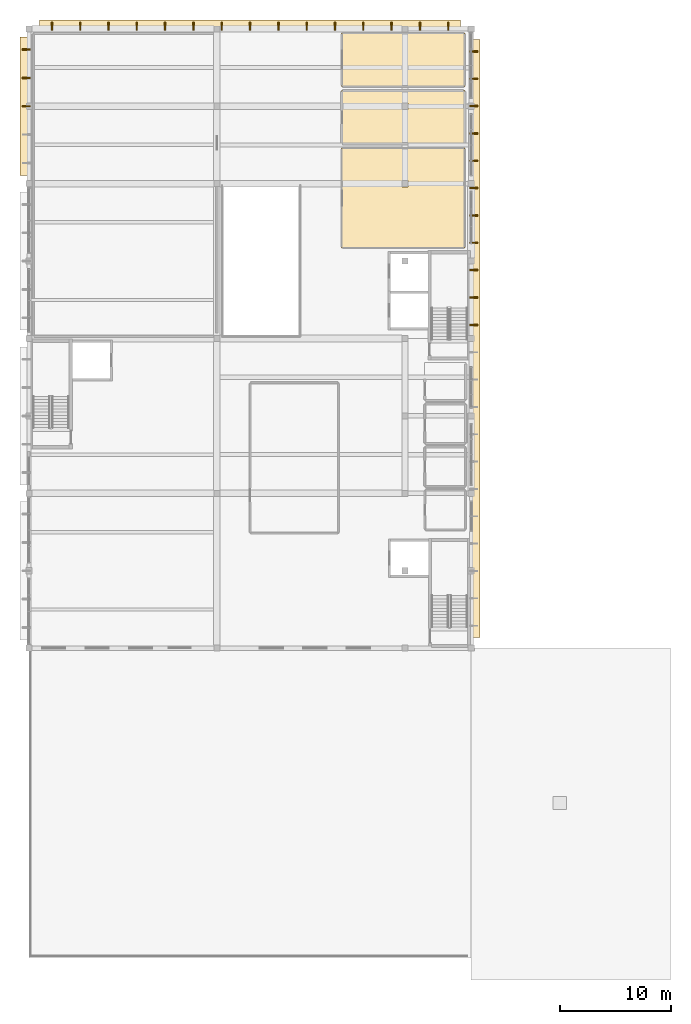
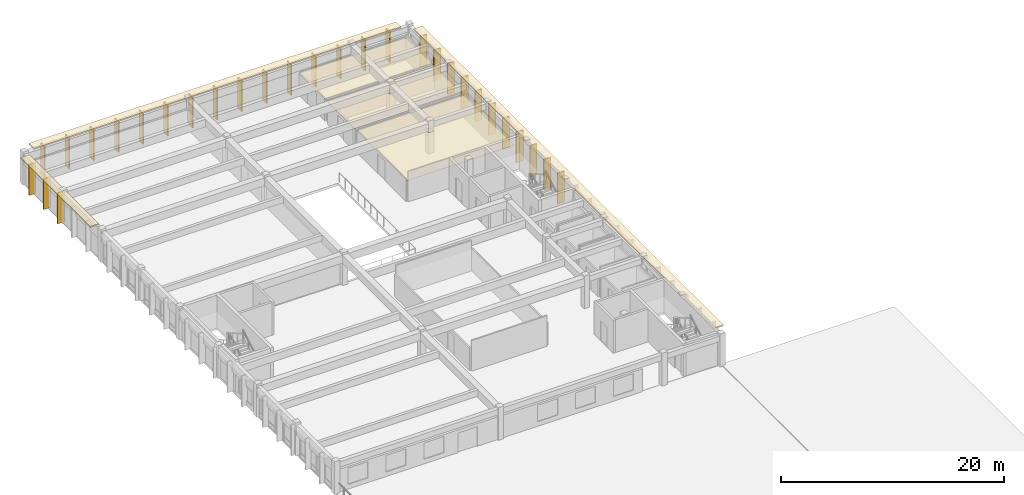
# One storey, part 23 of 23: 35 coverings.
"""IFC4 building model written with IfcOpenShell, lengths in metres."""

from ifc_helpers import new_model, si_unit, direction, frame, origin, origin_2d, place, context, subcontext, project, spatial, polyline, rectangle, outline, extrude, material, layer, layer_set, type_object, element, save


model = new_model("IFC4")

# Units and contexts
model_context = context("Model", 3, precision=1e-05, world=origin(), true_north=direction((0.0, 1.0)))
body_context = subcontext(model_context, "Body", "Model", "MODEL_VIEW")
ifc_project = project(units=[si_unit("LENGTHUNIT", "METRE"), si_unit("AREAUNIT", "SQUARE_METRE"), si_unit("VOLUMEUNIT", "CUBIC_METRE"), si_unit("PLANEANGLEUNIT", "RADIAN"), si_unit("MASSUNIT", "GRAM", prefix="KILO")], contexts=[model_context])

# Site, building, storey
site_placement = place(None, origin())
site = spatial("IfcSite", under=ifc_project, at=site_placement, CompositionType="ELEMENT")
building_placement = place(site_placement, origin())
building = spatial("IfcBuilding", under=site, at=building_placement, Name="Larkveld Mobility Hub", CompositionType="ELEMENT")
storey_placement = place(building_placement, frame((0.0, 0.0, 19.199951171875)))
storey = spatial("IfcBuildingStorey", under=building, at=storey_placement, Name="L05", CompositionType="ELEMENT", Elevation=19.199951171875)

# Coverings
ifc_material_1 = material(Name="Precast concrete C50/60", Category="concrete")
ifc_layer_1 = layer(ifc_material_1, 0.14990234375, Name="Precast concrete C50/60", Category="concrete")
ifc_layer_set_1 = layer_set([ifc_layer_1], Name="Precast concrete C50/60")
covering_type_1 = type_object("IfcCoveringType", Name="COV-QSL-H01", PredefinedType="CLADDING", material=ifc_layer_set_1)
covering_1_placement = place(storey_placement, frame((111.659912109375, 77.0, 3.3701171875), z_axis=(0.0, 0.0, 1.0), x_axis=(0.0, -1.0, 0.0)))
element("IfcCovering", 1, at=covering_1_placement, inside=storey, type_object=covering_type_1, Name="Precast Quebra-Sol Horizontal Sunbreaker QSH-602", PredefinedType="CLADDING", context=body_context, shape_type="SweptSolid", body=[
    extrude(rectangle(XDim=12.5, YDim=0.919921875, at=origin_2d()), origin(), (0.0, 0.0, 1.0), 0.14990234375),
])
covering_2_placement = place(storey_placement, frame((152.340087890625, 56.0, 3.3701171875), z_axis=(0.0, 0.0, 1.0), x_axis=(0.0, 1.0, 0.0)))
element("IfcCovering", 2, at=covering_2_placement, inside=storey, type_object=covering_type_1, Name="Precast Quebra-Sol Horizontal Sunbreaker QSH-608", PredefinedType="CLADDING", context=body_context, shape_type="SweptSolid", body=[
    extrude(rectangle(XDim=54.10009765625, YDim=0.919921875, at=origin_2d()), origin(), (0.0, 0.0, 1.0), 0.14990234375),
])
covering_3_placement = place(storey_placement, frame((132.0, 84.340087890625, 3.3701171875), z_axis=(0.0, 0.0, 1.0), x_axis=(-1.0, 0.0, 0.0)))
element("IfcCovering", 3, at=covering_3_placement, inside=storey, type_object=covering_type_1, Name="Precast Quebra-Sol Horizontal Sunbreaker QSH-631", PredefinedType="CLADDING", context=body_context, shape_type="SweptSolid", body=[
    extrude(rectangle(XDim=38.10009765625, YDim=0.919921875, at=origin_2d()), origin(), (0.0, 0.0, 1.0), 0.14990234375),
])
ifc_layer_2 = layer(ifc_material_1, 0.1201171875, Name="Precast concrete C50/60", Category="concrete")
ifc_layer_set_2 = layer_set([ifc_layer_2], Name="Precast concrete C50/60")
covering_type_2 = type_object("IfcCoveringType", Name="COV-QSL-V01", PredefinedType="CLADDING", material=ifc_layer_set_2)
for number, where, z_axis, x_axis, name in (
    (4, (111.760009765625, 82.1201171875, -0.0205078125), (0.0, 0.0, 1.0), (0.0, -1.0, 0.0), "Precast Quebra-Sol Vertical Fin QSV-603"),
    (5, (111.760009765625, 79.56005859375, -0.0205078125), (0.0, 0.0, 1.0), (0.0, -1.0, 0.0), "Precast Quebra-Sol Vertical Fin QSV-604"),
    (6, (111.760009765625, 77.0, -0.0205078125), (0.0, 0.0, 1.0), (0.0, -1.0, 0.0), "Precast Quebra-Sol Vertical Fin QSV-605"),
    (7, (152.239990234375, 57.236083984375, -0.0205078125), (0.0, 0.0, 1.0), (0.0, 1.0, 0.0), "Precast Quebra-Sol Vertical Fin QSV-620"),
    (8, (152.239990234375, 59.708984375, -0.0205078125), (0.0, 0.0, 1.0), (0.0, 1.0, 0.0), "Precast Quebra-Sol Vertical Fin QSV-621"),
    (9, (152.239990234375, 62.181884765625, -0.0205078125), (0.0, 0.0, 1.0), (0.0, 1.0, 0.0), "Precast Quebra-Sol Vertical Fin QSV-622"),
    (10, (152.239990234375, 64.655029296875, -0.0205078125), (0.0, 0.0, 1.0), (0.0, 1.0, 0.0), "Precast Quebra-Sol Vertical Fin QSV-623"),
    (11, (152.239990234375, 67.126953125, -0.0205078125), (0.0, 0.0, 1.0), (0.0, 1.0, 0.0), "Precast Quebra-Sol Vertical Fin QSV-624"),
    (12, (152.239990234375, 69.60009765625, -0.0205078125), (0.0, 0.0, 1.0), (0.0, 1.0, 0.0), "Precast Quebra-Sol Vertical Fin QSV-625"),
    (13, (152.239990234375, 72.072998046875, -0.0205078125), (0.0, 0.0, 1.0), (0.0, 1.0, 0.0), "Precast Quebra-Sol Vertical Fin QSV-626"),
    (14, (152.239990234375, 74.544921875, -0.0205078125), (0.0, 0.0, 1.0), (0.0, 1.0, 0.0), "Precast Quebra-Sol Vertical Fin QSV-627"),
    (15, (152.239990234375, 77.01806640625, -0.0205078125), (0.0, 0.0, 1.0), (0.0, 1.0, 0.0), "Precast Quebra-Sol Vertical Fin QSV-628"),
    (16, (152.239990234375, 79.490966796875, -0.0205078125), (0.0, 0.0, 1.0), (0.0, 1.0, 0.0), "Precast Quebra-Sol Vertical Fin QSV-629"),
    (17, (152.239990234375, 81.964111328125, -0.0205078125), (0.0, 0.0, 1.0), (0.0, 1.0, 0.0), "Precast Quebra-Sol Vertical Fin QSV-630"),
    (18, (149.919921875, 84.239990234375, -0.0205078125), (0.0, 0.0, 1.0), (-1.0, 0.0, 0.0), "Precast Quebra-Sol Vertical Fin QSV-632"),
    (19, (147.360107421875, 84.239990234375, -0.0205078125), (0.0, 0.0, 1.0), (-1.0, 0.0, 0.0), "Precast Quebra-Sol Vertical Fin QSV-633"),
    (20, (144.800048828125, 84.239990234375, -0.0205078125), (0.0, 0.0, 1.0), (-1.0, 0.0, 0.0), "Precast Quebra-Sol Vertical Fin QSV-634"),
    (21, (142.239990234375, 84.239990234375, -0.0205078125), (0.0, 0.0, 1.0), (-1.0, 0.0, 0.0), "Precast Quebra-Sol Vertical Fin QSV-635"),
    (22, (139.679931640625, 84.239990234375, -0.0205078125), (0.0, 0.0, 1.0), (-1.0, 0.0, 0.0), "Precast Quebra-Sol Vertical Fin QSV-636"),
    (23, (137.1201171875, 84.239990234375, -0.0205078125), (0.0, 0.0, 1.0), (-1.0, 0.0, 0.0), "Precast Quebra-Sol Vertical Fin QSV-637"),
    (24, (134.56005859375, 84.239990234375, -0.0205078125), (0.0, 0.0, 1.0), (-1.0, 0.0, 0.0), "Precast Quebra-Sol Vertical Fin QSV-638"),
    (25, (132.0, 84.239990234375, -0.0205078125), (0.0, 0.0, 1.0), (-1.0, 0.0, 0.0), "Precast Quebra-Sol Vertical Fin QSV-639"),
    (26, (129.43994140625, 84.239990234375, -0.0205078125), (0.0, 0.0, 1.0), (-1.0, 0.0, 0.0), "Precast Quebra-Sol Vertical Fin QSV-640"),
    (27, (126.8798828125, 84.239990234375, -0.0205078125), (0.0, 0.0, 1.0), (-1.0, 0.0, 0.0), "Precast Quebra-Sol Vertical Fin QSV-641"),
    (28, (124.320068359375, 84.239990234375, -0.0205078125), (0.0, 0.0, 1.0), (-1.0, 0.0, 0.0), "Precast Quebra-Sol Vertical Fin QSV-642"),
    (29, (121.760009765625, 84.239990234375, -0.0205078125), (0.0, 0.0, 1.0), (-1.0, 0.0, 0.0), "Precast Quebra-Sol Vertical Fin QSV-643"),
    (30, (119.199951171875, 84.239990234375, -0.0205078125), (0.0, 0.0, 1.0), (-1.0, 0.0, 0.0), "Precast Quebra-Sol Vertical Fin QSV-644"),
    (31, (116.639892578125, 84.239990234375, -0.0205078125), (0.0, 0.0, 1.0), (-1.0, 0.0, 0.0), "Precast Quebra-Sol Vertical Fin QSV-645"),
    (32, (114.080078125, 84.239990234375, -0.0205078125), (0.0, 0.0, 1.0), (-1.0, 0.0, 0.0), "Precast Quebra-Sol Vertical Fin QSV-646"),
):
    element("IfcCovering", number, at=place(storey_placement, frame(where, z_axis=z_axis, x_axis=x_axis)), inside=storey, type_object=covering_type_2, Name=name, PredefinedType="CLADDING", context=body_context, shape_type="SweptSolid", body=[
        extrude(rectangle(XDim=0.1201171875, YDim=0.719970703125, at=origin_2d()), origin(), (0.0, 0.0, 1.0), 3.375),
    ])
ifc_material_2 = material(Name="Perforated mineral-fibre acoustic ceiling", Category="masonry")
ifc_layer_3 = layer(ifc_material_2, 0.02001953125, Name="Perforated mineral-fibre acoustic ceiling", Category="masonry")
ifc_layer_set_3 = layer_set([ifc_layer_3], Name="Perforated mineral-fibre acoustic ceiling")
covering_type_3 = type_object("IfcCoveringType", Name="CV-CLG-020", PredefinedType="CEILING", material=ifc_layer_set_3)
covering_4_placement = place(storey_placement, frame((0.0, 0.0, 2.330078125)))
element("IfcCovering", 33, at=covering_4_placement, inside=storey, type_object=covering_type_3, Name="Community Aerobic and Fitness Studio Acoustic Ceiling 058", PredefinedType="CEILING", context=body_context, shape_type="SweptSolid", body=[
    extrude(outline(polyline([(140.31689453125, 64.169921875), (140.31396484375, 64.1708984375), (140.31103515625, 64.1708984375), (140.30908203125, 64.172119140625), (140.305908203125, 64.174072265625), (140.302978515625, 64.175048828125), (140.301025390625, 64.177001953125), (140.299072265625, 64.178955078125), (140.279052734375, 64.198974609375), (140.277099609375, 64.200927734375), (140.27490234375, 64.202880859375), (140.27392578125, 64.2060546875), (140.27197265625, 64.208984375), (140.27099609375, 64.2109375), (140.27099609375, 64.214111328125), (140.27001953125, 64.217041015625), (140.27001953125, 64.219970703125), (140.277099609375, 73.195068359375), (140.277099609375, 73.197998046875), (140.278076171875, 73.200927734375), (140.279052734375, 73.2041015625), (140.280029296875, 73.20703125), (140.281005859375, 73.2099609375), (140.281982421875, 73.2119140625), (140.283935546875, 73.215087890625), (140.285888671875, 73.217041015625), (140.2880859375, 73.218994140625), (140.291015625, 73.219970703125), (140.29296875, 73.221923828125), (140.2958984375, 73.222900390625), (140.299072265625, 73.22412109375), (140.301025390625, 73.22509765625), (140.303955078125, 73.22509765625), (140.306884765625, 73.22509765625), (151.39501953125, 73.222900390625), (151.39794921875, 73.222900390625), (151.40087890625, 73.221923828125), (151.404052734375, 73.220947265625), (151.406982421875, 73.219970703125), (151.409912109375, 73.218994140625), (151.412109375, 73.218017578125), (151.4140625, 73.216064453125), (151.4169921875, 73.214111328125), (151.4189453125, 73.2119140625), (151.419921875, 73.208984375), (151.422119140625, 73.20703125), (151.423095703125, 73.2041015625), (151.424072265625, 73.200927734375), (151.425048828125, 73.198974609375), (151.425048828125, 73.196044921875), (151.425048828125, 73.193115234375), (151.423095703125, 64.205078125), (151.423095703125, 64.201904296875), (151.422119140625, 64.198974609375), (151.4208984375, 64.196044921875), (151.419921875, 64.193115234375), (151.4189453125, 64.18994140625), (151.41796875, 64.18798828125), (151.416015625, 64.18603515625), (151.4140625, 64.18310546875), (151.412109375, 64.180908203125), (151.408935546875, 64.179931640625), (151.406982421875, 64.177978515625), (151.404052734375, 64.177001953125), (151.40087890625, 64.176025390625), (151.39892578125, 64.175048828125), (151.39599609375, 64.175048828125), (151.39306640625, 64.175048828125), (140.320068359375, 64.169921875), (140.31689453125, 64.169921875)]), holes=[polyline([(146.280029296875, 69.719970703125), (146.280029296875, 70.280029296875), (145.719970703125, 70.280029296875), (145.719970703125, 69.719970703125), (146.280029296875, 69.719970703125)])]), origin(), (0.0, 0.0, 1.0), 0.02001953125),
])
covering_5_placement = place(storey_placement, frame((0.0, 0.0, 2.330078125)))
element("IfcCovering", 34, at=covering_5_placement, inside=storey, type_object=covering_type_3, Name="Sports First Aid and Physiotherapy Office Acoustic Ceiling 060", PredefinedType="CEILING", context=body_context, shape_type="SweptSolid", body=[
    extrude(outline(polyline([(140.320068359375, 78.77001953125), (140.31689453125, 78.77001953125), (140.31396484375, 78.77099609375), (140.31103515625, 78.77099609375), (140.30908203125, 78.77197265625), (140.305908203125, 78.77392578125), (140.302978515625, 78.77490234375), (140.301025390625, 78.777099609375), (140.299072265625, 78.779052734375), (140.279052734375, 78.799072265625), (140.277099609375, 78.801025390625), (140.27490234375, 78.802978515625), (140.27392578125, 78.805908203125), (140.27197265625, 78.80908203125), (140.27099609375, 78.81103515625), (140.27099609375, 78.81396484375), (140.27001953125, 78.81689453125), (140.27001953125, 78.820068359375), (140.27001953125, 83.580078125), (140.27001953125, 83.5830078125), (140.27099609375, 83.5859375), (140.27099609375, 83.589111328125), (140.27197265625, 83.591064453125), (140.27392578125, 83.593994140625), (140.27490234375, 83.596923828125), (140.287109375, 83.614990234375), (140.2890625, 83.617919921875), (140.291015625, 83.6201171875), (140.29296875, 83.6220703125), (140.2958984375, 83.623046875), (140.298095703125, 83.625), (140.301025390625, 83.6259765625), (140.303955078125, 83.626953125), (140.305908203125, 83.6279296875), (140.30908203125, 83.6279296875), (140.31201171875, 83.6279296875), (151.3798828125, 83.6298828125), (151.383056640625, 83.6298828125), (151.385986328125, 83.62890625), (151.388916015625, 83.62890625), (151.39111328125, 83.6279296875), (151.39404296875, 83.6259765625), (151.39697265625, 83.625), (151.4150390625, 83.613037109375), (151.41796875, 83.611083984375), (151.419921875, 83.60888671875), (151.422119140625, 83.60693359375), (151.423095703125, 83.60400390625), (151.425048828125, 83.60205078125), (151.426025390625, 83.59912109375), (151.427001953125, 83.595947265625), (151.427978515625, 83.593994140625), (151.427978515625, 83.591064453125), (151.427978515625, 83.587890625), (151.429931640625, 78.820068359375), (151.429931640625, 78.81689453125), (151.428955078125, 78.81396484375), (151.428955078125, 78.81103515625), (151.427978515625, 78.80908203125), (151.426025390625, 78.805908203125), (151.425048828125, 78.802978515625), (151.4130859375, 78.784912109375), (151.410888671875, 78.781982421875), (151.408935546875, 78.780029296875), (151.406982421875, 78.778076171875), (151.404052734375, 78.777099609375), (151.402099609375, 78.77490234375), (151.39892578125, 78.77392578125), (151.39599609375, 78.77294921875), (151.39404296875, 78.77197265625), (151.39111328125, 78.77197265625), (151.387939453125, 78.77197265625), (140.320068359375, 78.77001953125)])), origin(), (0.0, 0.0, 1.0), 0.02001953125),
])
ifc_material_3 = material(Name="Moisture-resistant gypsum board ceiling", Category="masonry")
ifc_layer_4 = layer(ifc_material_3, 0.02490234375, Name="Moisture-resistant gypsum board ceiling", Category="masonry")
ifc_layer_set_4 = layer_set([ifc_layer_4], Name="Moisture-resistant gypsum board ceiling")
covering_type_4 = type_object("IfcCoveringType", Name="CV-CLG-025", PredefinedType="CEILING", material=ifc_layer_set_4)
covering_6_placement = place(storey_placement, frame((0.0, 0.0, 2.324951171875)))
element("IfcCovering", 35, at=covering_6_placement, inside=storey, type_object=covering_type_4, Name="Court Equipment and Net Store Acoustic Ceiling 059", PredefinedType="CEILING", context=body_context, shape_type="SweptSolid", body=[
    extrude(outline(polyline([(140.31689453125, 73.570068359375), (140.31396484375, 73.571044921875), (140.31103515625, 73.571044921875), (140.30908203125, 73.572021484375), (140.305908203125, 73.573974609375), (140.302978515625, 73.574951171875), (140.301025390625, 73.576904296875), (140.299072265625, 73.5791015625), (140.279052734375, 73.59912109375), (140.277099609375, 73.60107421875), (140.27490234375, 73.60302734375), (140.27392578125, 73.60595703125), (140.27197265625, 73.60888671875), (140.27099609375, 73.611083984375), (140.27099609375, 73.614013671875), (140.27001953125, 73.616943359375), (140.27001953125, 73.6201171875), (140.27001953125, 78.3798828125), (140.27001953125, 78.383056640625), (140.27099609375, 78.385986328125), (140.27099609375, 78.388916015625), (140.27197265625, 78.39111328125), (140.27392578125, 78.39404296875), (140.27490234375, 78.39697265625), (140.287109375, 78.4150390625), (140.2890625, 78.41796875), (140.291015625, 78.419921875), (140.29296875, 78.422119140625), (140.2958984375, 78.423095703125), (140.298095703125, 78.425048828125), (140.301025390625, 78.426025390625), (140.303955078125, 78.427001953125), (140.305908203125, 78.427978515625), (140.30908203125, 78.427978515625), (140.31201171875, 78.427978515625), (151.3798828125, 78.429931640625), (151.383056640625, 78.429931640625), (151.385986328125, 78.428955078125), (151.388916015625, 78.428955078125), (151.39111328125, 78.427978515625), (151.39404296875, 78.426025390625), (151.39697265625, 78.425048828125), (151.4150390625, 78.4130859375), (151.41796875, 78.410888671875), (151.419921875, 78.408935546875), (151.422119140625, 78.406982421875), (151.423095703125, 78.404052734375), (151.425048828125, 78.402099609375), (151.426025390625, 78.39892578125), (151.427001953125, 78.39599609375), (151.427978515625, 78.39404296875), (151.427978515625, 78.39111328125), (151.427978515625, 78.387939453125), (151.429931640625, 73.6201171875), (151.429931640625, 73.616943359375), (151.428955078125, 73.614013671875), (151.428955078125, 73.611083984375), (151.427978515625, 73.60888671875), (151.426025390625, 73.60595703125), (151.425048828125, 73.60302734375), (151.4130859375, 73.5849609375), (151.410888671875, 73.58203125), (151.408935546875, 73.580078125), (151.406982421875, 73.577880859375), (151.404052734375, 73.576904296875), (151.402099609375, 73.574951171875), (151.39892578125, 73.573974609375), (151.39599609375, 73.572998046875), (151.39404296875, 73.572021484375), (151.39111328125, 73.572021484375), (151.387939453125, 73.572021484375), (140.320068359375, 73.570068359375), (140.31689453125, 73.570068359375)]), holes=[polyline([(146.280029296875, 76.719970703125), (146.280029296875, 77.280029296875), (145.719970703125, 77.280029296875), (145.719970703125, 76.719970703125), (146.280029296875, 76.719970703125)])]), origin(), (0.0, 0.0, 1.0), 0.025146484375),
])

save(model, "model.ifc")
